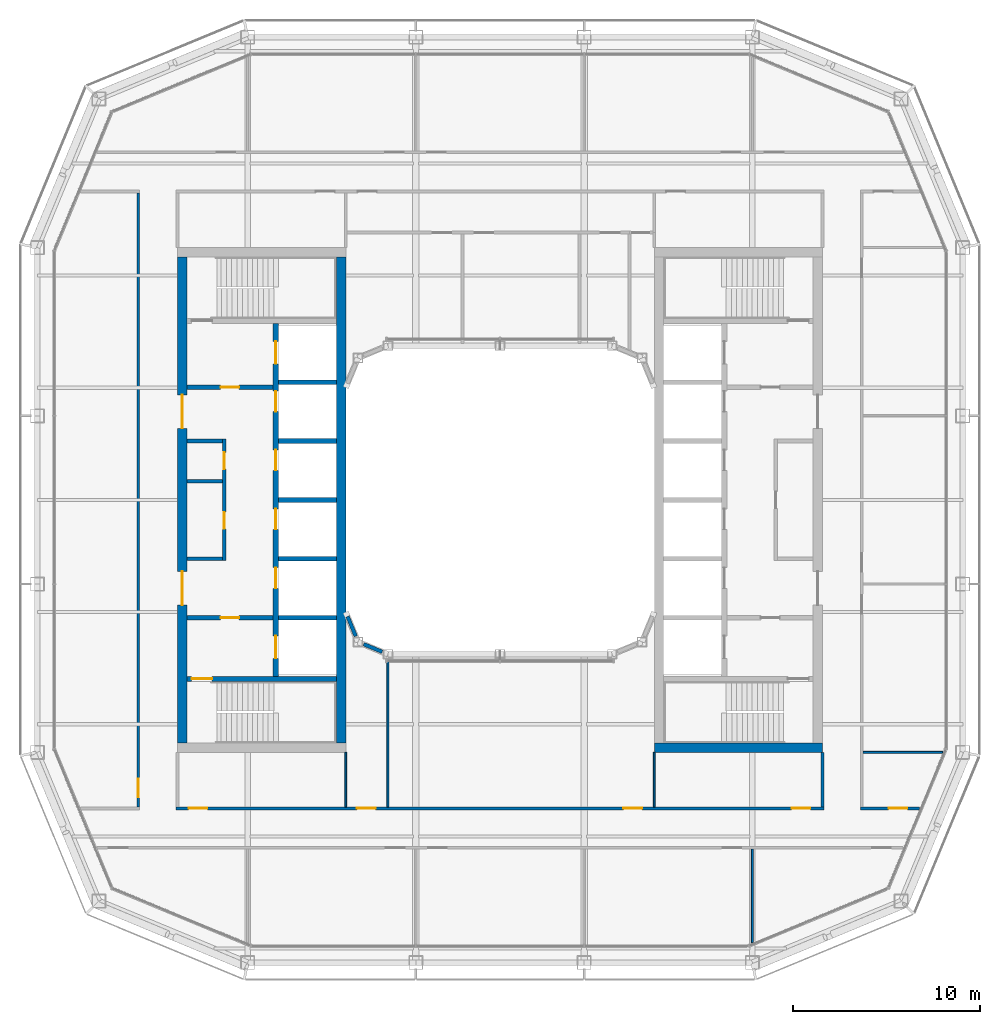
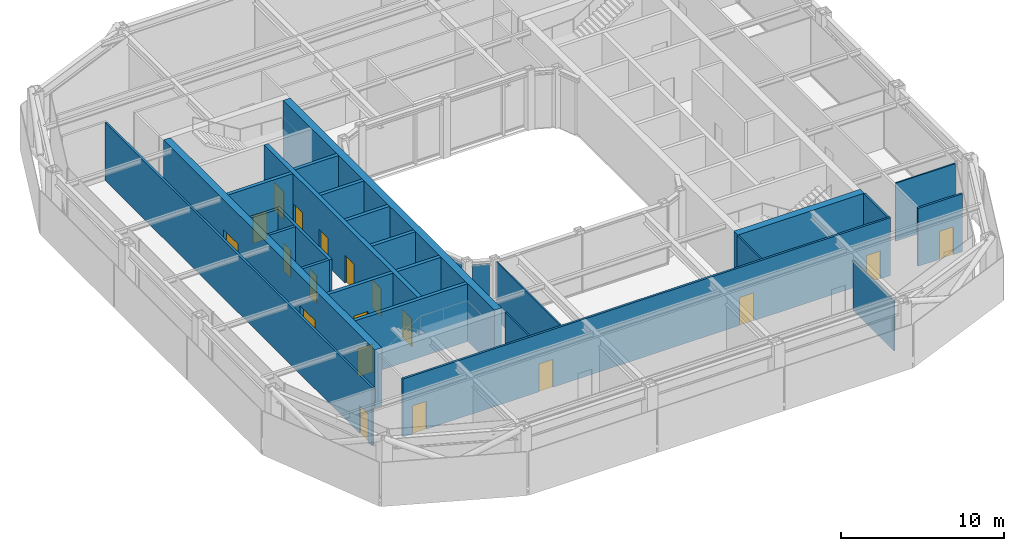
# One storey, part 10 of 17: 27 walls, 19 doors, 19 openings.
"""IFC4 building model written with IfcOpenShell, lengths in metres."""

import ifcopenshell
import ifcopenshell.guid

model = None  # the IFC model being written
_history = None  # IfcOwnerHistory: only IFC2X3 demands one
_inside = {}  # id of a spatial element -> (the spatial element, [elements in it])
_under = {}  # id of a project, library or spatial element -> (it, [spatial elements below it])
_declared = {}  # id of a project -> (the project, [libraries it declares])
_typed = {}  # id of a type object -> (the type object, [elements of that type])
_made_of = {}  # id of a material, layer set ... -> (it, [elements and type objects made of it])


def new_model(schema):
    """Start an empty IFC model of exactly this schema.

    Asked for "IFC4X3", IfcOpenShell would pick the latest addendum, in which some entities
    have other attributes; the version numbers below select the first issue.
    IFC2X3 requires an IfcOwnerHistory on every rooted entity: one is made here for all.
    """
    global model, _history
    if schema == "IFC4X3":
        model = ifcopenshell.file(schema_version=(4, 3, 0, 0))
    else:
        model = ifcopenshell.file(schema=schema)
    _inside.clear()
    _under.clear()
    _declared.clear()
    _typed.clear()
    _made_of.clear()
    _history = None
    if model.schema == "IFC2X3":
        org = make("IfcOrganization", Name="unknown")
        user = make(
            "IfcPersonAndOrganization",
            ThePerson=make("IfcPerson", FamilyName="unknown"),
            TheOrganization=org,
        )
        app = make(
            "IfcApplication",
            ApplicationDeveloper=org,
            Version="unknown",
            ApplicationFullName="unknown",
            ApplicationIdentifier="unknown",
        )
        _history = make(
            "IfcOwnerHistory",
            OwningUser=user,
            OwningApplication=app,
            ChangeAction="ADDED",
            CreationDate=0,
        )
    return model


def make(cls, **values):
    """One entity of the class cls with the attributes given. An attribute that is None is left unset."""
    return model.create_entity(
        cls, **{name: value for name, value in values.items() if value is not None}
    )


def rooted(cls, **values):
    """An entity with a GlobalId (a new one), such as an element, a storey or a relation."""
    return make(cls, GlobalId=ifcopenshell.guid.new(), OwnerHistory=_history, **values)


def si_unit(unit_type, name, prefix=None):
    """IfcSIUnit, for example si_unit("LENGTHUNIT", "METRE", prefix="MILLI")."""
    return make("IfcSIUnit", UnitType=unit_type, Prefix=prefix, Name=name)


def assignment(units):
    """IfcUnitAssignment: the units of a project."""
    return None if units is None else make("IfcUnitAssignment", Units=units)


def point(xyz):
    """IfcCartesianPoint."""
    return None if xyz is None else make("IfcCartesianPoint", Coordinates=xyz)


def direction(xyz):
    """IfcDirection."""
    return None if xyz is None else make("IfcDirection", DirectionRatios=xyz)


def frame(location, z_axis=None, x_axis=None):
    """IfcAxis2Placement3D, a coordinate frame: its origin and axes. An axis left out is left unset."""
    return make(
        "IfcAxis2Placement3D",
        Location=point(location),
        Axis=direction(z_axis),
        RefDirection=direction(x_axis),
    )


def frame_2d(location, x_axis=None):
    """IfcAxis2Placement2D, a coordinate frame in the plane: its origin and x axis."""
    return make(
        "IfcAxis2Placement2D", Location=point(location), RefDirection=direction(x_axis)
    )


def origin():
    """The frame at (0, 0, 0) with its axes left unset."""
    return frame((0.0, 0.0, 0.0))


def place(relative_to, where):
    """IfcLocalPlacement: puts the frame where relative to a parent placement (None: the world)."""
    return make(
        "IfcLocalPlacement", PlacementRelTo=relative_to, RelativePlacement=where
    )


def context(
    kind, dimensions, precision=None, world=None, true_north=None, identifier=None
):
    """IfcGeometricRepresentationContext, for example the 3D "Model" context."""
    return make(
        "IfcGeometricRepresentationContext",
        ContextIdentifier=identifier,
        ContextType=kind,
        CoordinateSpaceDimension=dimensions,
        Precision=precision,
        WorldCoordinateSystem=world,
        TrueNorth=true_north,
    )


def subcontext(parent, identifier, kind, view, scale=None):
    """IfcGeometricRepresentationSubContext, for example "Body" below "Model"."""
    return make(
        "IfcGeometricRepresentationSubContext",
        ContextIdentifier=identifier,
        ContextType=kind,
        ParentContext=parent,
        TargetScale=scale,
        TargetView=view,
    )


def project(units=None, contexts=None):
    """IfcProject with its units and contexts."""
    return rooted(
        "IfcProject",
        Name="project",
        RepresentationContexts=contexts,
        UnitsInContext=assignment(units),
    )


def spatial(cls, under=None, at=None, **own):
    """A site, building, storey or space (cls), placed at a placement, below another one or the project."""
    s = rooted(cls, ObjectPlacement=at, **own)
    if under is not None:
        _under.setdefault(under.id(), (under, []))[1].append(s)
    return s


def profile(cls, at=None, kind="AREA", **sizes):
    """A parametric profile (cls). Its sizes go by their IFC names, for example OverallWidth=200.0."""
    return make(cls, ProfileType=kind, Position=at, **sizes)


def rectangle(**sizes):
    """IfcRectangleProfileDef."""
    return profile("IfcRectangleProfileDef", **sizes)


def extrude(swept, where, along, depth):
    """IfcExtrudedAreaSolid: the profile swept, set in the frame where, extruded along a direction by depth."""
    return make(
        "IfcExtrudedAreaSolid",
        SweptArea=swept,
        Position=where,
        ExtrudedDirection=direction(along),
        Depth=depth,
    )


def shape(context_of_items, identifier, shape_type, items):
    """IfcShapeRepresentation: the items that make up one representation, for example the "Body"."""
    return make(
        "IfcShapeRepresentation",
        ContextOfItems=context_of_items,
        RepresentationIdentifier=identifier,
        RepresentationType=shape_type,
        Items=items,
    )


def material(Name=None, Category=None):
    """IfcMaterial."""
    return make("IfcMaterial", Name=Name, Category=Category)


def layer(
    of_material, thickness, ventilated=None, Name=None, Category=None, Priority=None
):
    """IfcMaterialLayer: one layer of a wall or slab, of a material (None: an air gap)."""
    return make(
        "IfcMaterialLayer",
        Material=of_material,
        LayerThickness=thickness,
        IsVentilated=ventilated,
        Name=Name,
        Category=Category,
        Priority=Priority,
    )


def layer_set(layers, Name=None):
    """IfcMaterialLayerSet."""
    return make("IfcMaterialLayerSet", MaterialLayers=layers, LayerSetName=Name)


def made_of(thing, what):
    """Note that an element or type object is made of a material, layer set ...; save() writes the relation."""
    if what is not None:
        _made_of.setdefault(what.id(), (what, []))[1].append(thing)
    return thing


def type_object(cls, material=None, **own):
    """A type object (cls), such as IfcWallType, which elements share."""
    return made_of(rooted(cls, **own), material)


def element(
    cls,
    number,
    at=None,
    inside=None,
    cuts=None,
    type_object=None,
    material=None,
    context=None,
    identifier="Body",
    shape_type=None,
    held_by="IfcProductDefinitionShape",
    body=None,
    shapes=None,
    **own,
):
    """One element of the class cls, such as IfcWall. Its Tag is "e" and its number.

    at: its placement. inside: the storey or other place that contains it. cuts: it is an
    opening in that element (IfcRelVoidsElement). A single representation is given by context,
    identifier, shape_type and body (its items); several are given by shapes. held_by: the class
    of the entity that holds the representations. save() writes the other relations.
    """
    e = rooted(cls, Tag="e%d" % number, ObjectPlacement=at, **own)
    if body is not None:
        shapes = [shape(context, identifier, shape_type, body)]
    if shapes is not None:
        e.Representation = make(held_by, Representations=shapes)
    if inside is not None:
        _inside.setdefault(inside.id(), (inside, []))[1].append(e)
    if cuts is not None:
        rooted(
            "IfcRelVoidsElement", RelatingBuildingElement=cuts, RelatedOpeningElement=e
        )
    if type_object is not None:
        _typed.setdefault(type_object.id(), (type_object, []))[1].append(e)
    return made_of(e, material)


def fill(opening, filler):
    """IfcRelFillsElement: the door or window that sits in an opening."""
    return rooted(
        "IfcRelFillsElement",
        RelatingOpeningElement=opening,
        RelatedBuildingElement=filler,
    )


def aggregate(whole, parts):
    """IfcRelAggregates: a whole, such as a stair, and the parts it consists of."""
    return rooted("IfcRelAggregates", RelatingObject=whole, RelatedObjects=parts)


def save(model, path):
    """Write the relations noted so far, then the file.

    IfcRelAggregates (storeys below a building ...), IfcRelContainedInSpatialStructure (elements
    in a storey), IfcRelDefinesByType, IfcRelAssociatesMaterial and IfcRelDeclares: one each for
    every whole, place, type object, material and project.
    """
    for whole, parts in _under.values():
        aggregate(whole, parts)
    for where, things in _inside.values():
        rooted(
            "IfcRelContainedInSpatialStructure",
            RelatedElements=things,
            RelatingStructure=where,
        )
    for kind, things in _typed.values():
        rooted("IfcRelDefinesByType", RelatedObjects=things, RelatingType=kind)
    for what, things in _made_of.values():
        rooted("IfcRelAssociatesMaterial", RelatedObjects=things, RelatingMaterial=what)
    for by, libraries in _declared.values():
        rooted("IfcRelDeclares", RelatingContext=by, RelatedDefinitions=libraries)
    model.write(path)


model = new_model("IFC4")

# Units and contexts
model_context = context("Model", 3, precision=1e-05, world=origin(), true_north=direction((0.0, 1.0)))
body_context = subcontext(model_context, "Body", "Model", "MODEL_VIEW")
ifc_project = project(units=[si_unit("LENGTHUNIT", "METRE"), si_unit("AREAUNIT", "SQUARE_METRE"), si_unit("VOLUMEUNIT", "CUBIC_METRE"), si_unit("PLANEANGLEUNIT", "RADIAN"), si_unit("MASSUNIT", "GRAM", prefix="KILO")], contexts=[model_context])

# Site, building, storey
site_placement = place(None, origin())
site = spatial("IfcSite", under=ifc_project, at=site_placement, CompositionType="ELEMENT")
building_placement = place(site_placement, origin())
building = spatial("IfcBuilding", under=site, at=building_placement, Name="Siwar Civic Tower", CompositionType="ELEMENT")
storey_placement = place(building_placement, frame((0.0, 0.0, 289.699951171875)))
storey = spatial("IfcBuildingStorey", under=building, at=storey_placement, Name="L62", CompositionType="ELEMENT", Elevation=289.699951171875)

# Wall, openings, doors
ifc_material_1 = material(Name="Gypsum board on steel studs", Category="steel")
ifc_layer_1 = layer(ifc_material_1, 0.199951171875)
ifc_layer_set_1 = layer_set([ifc_layer_1], Name="Gypsum board on steel studs")
wall_type_1 = type_object("IfcWallType", Name="CORE-PARTITION-200", PredefinedType="PARTITIONING", material=ifc_layer_set_1)
wall_1_placement = place(storey_placement, frame((-14.75, -3.25, 0.0), z_axis=(0.0, 0.0, 1.0), x_axis=(0.0, 1.0, 0.0)))
wall_1 = element("IfcWall", 1, at=wall_1_placement, inside=storey, type_object=wall_type_1, Name="Core partition W", PredefinedType="PARTITIONING", context=body_context, shape_type="SweptSolid", body=[
    extrude(rectangle(XDim=6.5, YDim=0.199951171875, at=frame_2d((3.25, 0.0))), origin(), (0.0, 0.0, 1.0), 4.35009765625),
])
opening_1_placement = place(wall_1_placement, frame((1.699951171875, 0.0, 0.0)))
opening_1 = element("IfcOpeningElement", 2, at=opening_1_placement, cuts=wall_1, Name="Opening L62-CW13", PredefinedType="OPENING", context=body_context, shape_type="SweptSolid", body=[
    extrude(rectangle(XDim=0.89990234375, YDim=2.10009765625, at=frame_2d((0.449951171875, 1.050048828125))), frame((0.0, 0.10986328125, 0.0), z_axis=(0.0, -1.0, 0.0), x_axis=(1.0, 0.0, 0.0)), (0.0, 0.0, 1.0), 0.219970703125),
])
opening_2_placement = place(wall_1_placement, frame((4.89990234375, 0.0, 0.0)))
opening_2 = element("IfcOpeningElement", 3, at=opening_2_placement, cuts=wall_1, Name="Opening L62-CW14", PredefinedType="OPENING", context=body_context, shape_type="SweptSolid", body=[
    extrude(rectangle(XDim=0.89990234375, YDim=2.10009765625, at=frame_2d((0.449951171875, 1.050048828125))), frame((0.0, 0.10986328125, 0.0), z_axis=(0.0, -1.0, 0.0), x_axis=(1.0, 0.0, 0.0)), (0.0, 0.0, 1.0), 0.219970703125),
])
ifc_material_2 = material(Name="Steel door leaf", Category="steel")
door_type_1 = type_object("IfcDoorType", Name="CORE-DOOR-ROOM", OperationType="SINGLE_SWING_LEFT", PredefinedType="DOOR", material=ifc_material_2)
door_1_placement = place(opening_1_placement, origin())
door_1 = element("IfcDoor", 4, at=door_1_placement, inside=storey, type_object=door_type_1, Name="Core room door L62-CW13", OperationType="SINGLE_SWING_RIGHT", OverallHeight=2.10009765625, OverallWidth=0.89990234375, PredefinedType="DOOR", context=body_context, shape_type="SweptSolid", body=[
    extrude(rectangle(XDim=0.89990234375, YDim=2.10009765625, at=frame_2d((0.449951171875, 1.050048828125))), frame((0.0, 0.02490234375, 0.0), z_axis=(0.0, -1.0, 0.0), x_axis=(1.0, 0.0, 0.0)), (0.0, 0.0, 1.0), 0.050048828125),
])
fill(opening_1, door_1)
door_2_placement = place(opening_2_placement, origin())
door_2 = element("IfcDoor", 5, at=door_2_placement, inside=storey, type_object=door_type_1, Name="Core room door L62-CW14", OperationType="SINGLE_SWING_LEFT", OverallHeight=2.10009765625, OverallWidth=0.89990234375, PredefinedType="DOOR", context=body_context, shape_type="SweptSolid", body=[
    extrude(rectangle(XDim=0.89990234375, YDim=2.10009765625, at=frame_2d((0.449951171875, 1.050048828125))), frame((0.0, 0.02490234375, 0.0), z_axis=(0.0, -1.0, 0.0), x_axis=(1.0, 0.0, 0.0)), (0.0, 0.0, 1.0), 0.050048828125),
])
fill(opening_2, door_2)

# Walls
for number, where, z_axis, x_axis, name in (
    (6, (-14.85009765625, 3.14990234375, 0.0), (0.0, 0.0, 1.0), (-1.0, 0.0, 0.0), "Core partition W"),
    (7, (-14.85009765625, -3.14990234375, 0.0), (0.0, 0.0, 1.0), (-1.0, 0.0, 0.0), "Core partition W"),
    (8, (-14.85009765625, 1.0, 0.0), (0.0, 0.0, 1.0), (-1.0, 0.0, 0.0), "Core partition W"),
):
    element("IfcWall", number, at=place(storey_placement, frame(where, z_axis=z_axis, x_axis=x_axis)), inside=storey, type_object=wall_type_1, Name=name, PredefinedType="PARTITIONING", context=body_context, shape_type="SweptSolid", body=[
        extrude(rectangle(XDim=1.89990234375, YDim=0.199951171875, at=frame_2d((0.949951171875, 0.0))), origin(), (0.0, 0.0, 1.0), 4.35009765625),
    ])

# Wall, opening, door
ifc_material_3 = material(Name="Concrete C60/75", Category="concrete")
ifc_layer_2 = layer(ifc_material_3, 0.25)
ifc_layer_set_2 = layer_set([ifc_layer_2], Name="Concrete C60/75")
wall_type_2 = type_object("IfcWallType", Name="CORE-WALL-RC250", PredefinedType="SHEAR", material=ifc_layer_set_2)
wall_2_placement = place(storey_placement, frame((-12.14990234375, 6.02490234375, 0.0), z_axis=(0.0, 0.0, 1.0), x_axis=(-1.0, 0.0, 0.0)))
wall_2 = element("IfcWall", 9, at=wall_2_placement, inside=storey, type_object=wall_type_2, Name="Core wall W", PredefinedType="SHEAR", context=body_context, shape_type="SweptSolid", body=[
    extrude(rectangle(XDim=4.60009765625, YDim=0.25, at=frame_2d((2.300048828125, 0.0))), origin(), (0.0, 0.0, 1.0), 4.35009765625),
])
opening_3_placement = place(wall_2_placement, frame((1.800048828125, 0.0, 0.0)))
opening_3 = element("IfcOpeningElement", 10, at=opening_3_placement, cuts=wall_2, Name="Opening L62-CW01", PredefinedType="OPENING", context=body_context, shape_type="SweptSolid", body=[
    extrude(rectangle(XDim=1.0, YDim=2.10009765625, at=frame_2d((0.5, 1.050048828125))), frame((0.0, 0.135009765625, 0.0), z_axis=(0.0, -1.0, 0.0), x_axis=(1.0, 0.0, 0.0)), (0.0, 0.0, 1.0), 0.27001953125),
])
ifc_material_4 = material(Name="Steel door leaf", Category="steel")
door_type_2 = type_object("IfcDoorType", Name="CORE-DOOR-FD30S", OperationType="SINGLE_SWING_LEFT", PredefinedType="DOOR", material=ifc_material_4)
door_3_placement = place(opening_3_placement, origin())
door_3 = element("IfcDoor", 11, at=door_3_placement, inside=storey, type_object=door_type_2, Name="Firefighting lobby door L62-CW01", OperationType="SINGLE_SWING_LEFT", OverallHeight=2.10009765625, OverallWidth=1.0, PredefinedType="DOOR", context=body_context, shape_type="SweptSolid", body=[
    extrude(rectangle(XDim=1.0, YDim=2.10009765625, at=frame_2d((0.5, 1.050048828125))), frame((0.0, 0.02490234375, 0.0), z_axis=(0.0, -1.0, 0.0), x_axis=(1.0, 0.0, 0.0)), (0.0, 0.0, 1.0), 0.050048828125),
])
fill(opening_3, door_3)

wall_3_placement = place(storey_placement, frame((-12.14990234375, -6.300048828125, 0.0), z_axis=(0.0, 0.0, 1.0), x_axis=(-1.0, 0.0, 0.0)))
wall_3 = element("IfcWall", 12, at=wall_3_placement, inside=storey, type_object=wall_type_2, Name="Core wall W", PredefinedType="SHEAR", context=body_context, shape_type="SweptSolid", body=[
    extrude(rectangle(XDim=4.60009765625, YDim=0.25, at=frame_2d((2.300048828125, 0.0))), origin(), (0.0, 0.0, 1.0), 4.35009765625),
])
opening_4_placement = place(wall_3_placement, frame((1.800048828125, 0.0, 0.0)))
opening_4 = element("IfcOpeningElement", 13, at=opening_4_placement, cuts=wall_3, Name="Opening L62-CW02", PredefinedType="OPENING", context=body_context, shape_type="SweptSolid", body=[
    extrude(rectangle(XDim=1.0, YDim=2.10009765625, at=frame_2d((0.5, 1.050048828125))), frame((0.0, 0.135009765625, 0.0), z_axis=(0.0, -1.0, 0.0), x_axis=(1.0, 0.0, 0.0)), (0.0, 0.0, 1.0), 0.27001953125),
])
door_4_placement = place(opening_4_placement, origin())
door_4 = element("IfcDoor", 14, at=door_4_placement, inside=storey, type_object=door_type_2, Name="Service lobby door L62-CW02", OperationType="SINGLE_SWING_RIGHT", OverallHeight=2.10009765625, OverallWidth=1.0, PredefinedType="DOOR", context=body_context, shape_type="SweptSolid", body=[
    extrude(rectangle(XDim=1.0, YDim=2.10009765625, at=frame_2d((0.5, 1.050048828125))), frame((0.0, 0.02490234375, 0.0), z_axis=(0.0, -1.0, 0.0), x_axis=(1.0, 0.0, 0.0)), (0.0, 0.0, 1.0), 0.050048828125),
])
fill(opening_4, door_4)

# Walls
for number, where, z_axis, x_axis, name in (
    (15, (-8.75, 0.0, 0.0), (0.0, 0.0, 1.0), (-1.0, 0.0, 0.0), "Core wall W"),
    (16, (-8.75, 3.14990234375, 0.0), (0.0, 0.0, 1.0), (-1.0, 0.0, 0.0), "Core wall W"),
    (17, (-8.75, 6.300048828125, 0.0), (0.0, 0.0, 1.0), (-1.0, 0.0, 0.0), "Core wall W"),
    (18, (-8.75, -3.14990234375, 0.0), (0.0, 0.0, 1.0), (-1.0, 0.0, 0.0), "Core wall W"),
    (19, (-8.75, -6.300048828125, 0.0), (0.0, 0.0, 1.0), (-1.0, 0.0, 0.0), "Core wall W"),
):
    element("IfcWall", number, at=place(storey_placement, frame(where, z_axis=z_axis, x_axis=x_axis)), inside=storey, type_object=wall_type_2, Name=name, PredefinedType="SHEAR", context=body_context, shape_type="SweptSolid", body=[
        extrude(rectangle(XDim=3.10009765625, YDim=0.25, at=frame_2d((1.550048828125, 0.0))), origin(), (0.0, 0.0, 1.0), 4.35009765625),
    ])

# Wall, opening, door
wall_4_placement = place(storey_placement, frame((-8.75, -9.574951171875, 0.0), z_axis=(0.0, 0.0, 1.0), x_axis=(-1.0, 0.0, 0.0)))
wall_4 = element("IfcWall", 20, at=wall_4_placement, inside=storey, type_object=wall_type_2, Name="Core wall W", PredefinedType="SHEAR", context=body_context, shape_type="SweptSolid", body=[
    extrude(rectangle(XDim=8.0, YDim=0.25, at=frame_2d((4.0, 0.0))), origin(), (0.0, 0.0, 1.0), 4.35009765625),
])
opening_5_placement = place(wall_4_placement, frame((6.64990234375, 0.0, 0.0)))
opening_5 = element("IfcOpeningElement", 21, at=opening_5_placement, cuts=wall_4, Name="Opening L62-CW04", PredefinedType="OPENING", context=body_context, shape_type="SweptSolid", body=[
    extrude(rectangle(XDim=1.10009765625, YDim=2.10009765625, at=frame_2d((0.550048828125, 1.050048828125))), frame((0.0, 0.135009765625, 0.0), z_axis=(0.0, -1.0, 0.0), x_axis=(1.0, 0.0, 0.0)), (0.0, 0.0, 1.0), 0.27001953125),
])
ifc_material_5 = material(Name="Steel door leaf", Category="steel")
door_type_3 = type_object("IfcDoorType", Name="CORE-DOOR-FD60S", OperationType="SINGLE_SWING_LEFT", PredefinedType="DOOR", material=ifc_material_5)
door_5_placement = place(opening_5_placement, origin())
door_5 = element("IfcDoor", 22, at=door_5_placement, inside=storey, type_object=door_type_3, Name="Stair door L62-CW04", OperationType="SINGLE_SWING_LEFT", OverallHeight=2.10009765625, OverallWidth=1.10009765625, PredefinedType="DOOR", context=body_context, shape_type="SweptSolid", body=[
    extrude(rectangle(XDim=1.10009765625, YDim=2.10009765625, at=frame_2d((0.550048828125, 1.050048828125))), frame((0.0, 0.02490234375, 0.0), z_axis=(0.0, -1.0, 0.0), x_axis=(1.0, 0.0, 0.0)), (0.0, 0.0, 1.0), 0.050048828125),
])
fill(opening_5, door_5)

# Wall, openings, doors
ifc_material_6 = material(Name="Concrete C60/75", Category="concrete")
ifc_layer_3 = layer(ifc_material_6, 0.300048828125)
ifc_layer_set_3 = layer_set([ifc_layer_3], Name="Concrete C60/75")
wall_type_3 = type_object("IfcWallType", Name="CORE-WALL-RC300", PredefinedType="SHEAR", material=ifc_layer_set_3)
wall_5_placement = place(storey_placement, frame((-12.0, -9.449951171875, 0.0), z_axis=(0.0, 0.0, 1.0), x_axis=(0.0, 1.0, 0.0)))
wall_5 = element("IfcWall", 23, at=wall_5_placement, inside=storey, type_object=wall_type_3, Name="Core wall W", PredefinedType="SHEAR", context=body_context, shape_type="SweptSolid", body=[
    extrude(rectangle(XDim=18.89990234375, YDim=0.300048828125, at=frame_2d((9.449951171875, 0.0))), origin(), (0.0, 0.0, 1.0), 4.35009765625),
])
opening_6_placement = place(wall_5_placement, frame((4.72509765625, 0.0, 0.0)))
opening_6 = element("IfcOpeningElement", 24, at=opening_6_placement, cuts=wall_5, Name="Opening L62-CW07", PredefinedType="OPENING", context=body_context, shape_type="SweptSolid", body=[
    extrude(rectangle(XDim=1.10009765625, YDim=2.10009765625, at=frame_2d((0.550048828125, 1.050048828125))), frame((0.0, 0.16015625, 0.0), z_axis=(0.0, -1.0, 0.0), x_axis=(1.0, 0.0, 0.0)), (0.0, 0.0, 1.0), 0.320068359375),
])
opening_7_placement = place(wall_5_placement, frame((7.875, 0.0, 0.0)))
opening_7 = element("IfcOpeningElement", 25, at=opening_7_placement, cuts=wall_5, Name="Opening L62-CW08", PredefinedType="OPENING", context=body_context, shape_type="SweptSolid", body=[
    extrude(rectangle(XDim=1.10009765625, YDim=2.10009765625, at=frame_2d((0.550048828125, 1.050048828125))), frame((0.0, 0.16015625, 0.0), z_axis=(0.0, -1.0, 0.0), x_axis=(1.0, 0.0, 0.0)), (0.0, 0.0, 1.0), 0.320068359375),
])
opening_8_placement = place(wall_5_placement, frame((11.02490234375, 0.0, 0.0)))
opening_8 = element("IfcOpeningElement", 26, at=opening_8_placement, cuts=wall_5, Name="Opening L62-CW09", PredefinedType="OPENING", context=body_context, shape_type="SweptSolid", body=[
    extrude(rectangle(XDim=1.10009765625, YDim=2.10009765625, at=frame_2d((0.550048828125, 1.050048828125))), frame((0.0, 0.16015625, 0.0), z_axis=(0.0, -1.0, 0.0), x_axis=(1.0, 0.0, 0.0)), (0.0, 0.0, 1.0), 0.320068359375),
])
opening_9_placement = place(wall_5_placement, frame((14.175048828125, 0.0, 0.0)))
opening_9 = element("IfcOpeningElement", 27, at=opening_9_placement, cuts=wall_5, Name="Opening L62-CW10", PredefinedType="OPENING", context=body_context, shape_type="SweptSolid", body=[
    extrude(rectangle(XDim=1.10009765625, YDim=2.10009765625, at=frame_2d((0.550048828125, 1.050048828125))), frame((0.0, 0.16015625, 0.0), z_axis=(0.0, -1.0, 0.0), x_axis=(1.0, 0.0, 0.0)), (0.0, 0.0, 1.0), 0.320068359375),
])
opening_10_placement = place(wall_5_placement, frame((16.72509765625, 0.0, 0.0)))
opening_10 = element("IfcOpeningElement", 28, at=opening_10_placement, cuts=wall_5, Name="Opening L62-CW11", PredefinedType="OPENING", context=body_context, shape_type="SweptSolid", body=[
    extrude(rectangle(XDim=1.199951171875, YDim=2.10009765625, at=frame_2d((0.60009765625, 1.050048828125))), frame((0.0, 0.16015625, 0.0), z_axis=(0.0, -1.0, 0.0), x_axis=(1.0, 0.0, 0.0)), (0.0, 0.0, 1.0), 0.320068359375),
])
opening_11_placement = place(wall_5_placement, frame((0.97509765625, 0.0, 0.0)))
opening_11 = element("IfcOpeningElement", 29, at=opening_11_placement, cuts=wall_5, Name="Opening L62-CW12", PredefinedType="OPENING", context=body_context, shape_type="SweptSolid", body=[
    extrude(rectangle(XDim=1.199951171875, YDim=2.10009765625, at=frame_2d((0.60009765625, 1.050048828125))), frame((0.0, 0.16015625, 0.0), z_axis=(0.0, -1.0, 0.0), x_axis=(1.0, 0.0, 0.0)), (0.0, 0.0, 1.0), 0.320068359375),
])
ifc_material_7 = material(Name="Steel door leaf", Category="steel")
door_type_4 = type_object("IfcDoorType", Name="CORE-DOOR-LD", OperationType="DOUBLE_DOOR_SLIDING", PredefinedType="DOOR", material=ifc_material_7)
door_6_placement = place(opening_6_placement, origin())
door_6 = element("IfcDoor", 30, at=door_6_placement, inside=storey, type_object=door_type_4, Name="Landing door HR1 L62-CW07", OperationType="DOUBLE_DOOR_SLIDING", OverallHeight=2.10009765625, OverallWidth=1.10009765625, PredefinedType="DOOR", context=body_context, shape_type="SweptSolid", body=[
    extrude(rectangle(XDim=1.10009765625, YDim=2.10009765625, at=frame_2d((0.550048828125, 1.050048828125))), frame((0.0, 0.02490234375, 0.0), z_axis=(0.0, -1.0, 0.0), x_axis=(1.0, 0.0, 0.0)), (0.0, 0.0, 1.0), 0.050048828125),
])
fill(opening_6, door_6)
door_7_placement = place(opening_7_placement, origin())
door_7 = element("IfcDoor", 31, at=door_7_placement, inside=storey, type_object=door_type_4, Name="Landing door HR2 L62-CW08", OperationType="DOUBLE_DOOR_SLIDING", OverallHeight=2.10009765625, OverallWidth=1.10009765625, PredefinedType="DOOR", context=body_context, shape_type="SweptSolid", body=[
    extrude(rectangle(XDim=1.10009765625, YDim=2.10009765625, at=frame_2d((0.550048828125, 1.050048828125))), frame((0.0, 0.02490234375, 0.0), z_axis=(0.0, -1.0, 0.0), x_axis=(1.0, 0.0, 0.0)), (0.0, 0.0, 1.0), 0.050048828125),
])
fill(opening_7, door_7)
door_8_placement = place(opening_8_placement, origin())
door_8 = element("IfcDoor", 32, at=door_8_placement, inside=storey, type_object=door_type_4, Name="Landing door HR3 L62-CW09", OperationType="DOUBLE_DOOR_SLIDING", OverallHeight=2.10009765625, OverallWidth=1.10009765625, PredefinedType="DOOR", context=body_context, shape_type="SweptSolid", body=[
    extrude(rectangle(XDim=1.10009765625, YDim=2.10009765625, at=frame_2d((0.550048828125, 1.050048828125))), frame((0.0, 0.02490234375, 0.0), z_axis=(0.0, -1.0, 0.0), x_axis=(1.0, 0.0, 0.0)), (0.0, 0.0, 1.0), 0.050048828125),
])
fill(opening_8, door_8)
door_9_placement = place(opening_9_placement, origin())
door_9 = element("IfcDoor", 33, at=door_9_placement, inside=storey, type_object=door_type_4, Name="Landing door HR4 L62-CW10", OperationType="DOUBLE_DOOR_SLIDING", OverallHeight=2.10009765625, OverallWidth=1.10009765625, PredefinedType="DOOR", context=body_context, shape_type="SweptSolid", body=[
    extrude(rectangle(XDim=1.10009765625, YDim=2.10009765625, at=frame_2d((0.550048828125, 1.050048828125))), frame((0.0, 0.02490234375, 0.0), z_axis=(0.0, -1.0, 0.0), x_axis=(1.0, 0.0, 0.0)), (0.0, 0.0, 1.0), 0.050048828125),
])
fill(opening_9, door_9)
ifc_material_8 = material(Name="Steel door leaf", Category="steel")
door_type_5 = type_object("IfcDoorType", Name="CORE-DOOR-LDW", OperationType="DOUBLE_DOOR_SLIDING", PredefinedType="DOOR", material=ifc_material_8)
door_10_placement = place(opening_10_placement, origin())
door_10 = element("IfcDoor", 34, at=door_10_placement, inside=storey, type_object=door_type_5, Name="Landing door FF1 L62-CW11", OperationType="DOUBLE_DOOR_SLIDING", OverallHeight=2.10009765625, OverallWidth=1.199951171875, PredefinedType="DOOR", context=body_context, shape_type="SweptSolid", body=[
    extrude(rectangle(XDim=1.199951171875, YDim=2.10009765625, at=frame_2d((0.60009765625, 1.050048828125))), frame((0.0, 0.02490234375, 0.0), z_axis=(0.0, -1.0, 0.0), x_axis=(1.0, 0.0, 0.0)), (0.0, 0.0, 1.0), 0.050048828125),
])
fill(opening_10, door_10)
door_11_placement = place(opening_11_placement, origin())
door_11 = element("IfcDoor", 35, at=door_11_placement, inside=storey, type_object=door_type_5, Name="Landing door SV1 L62-CW12", OperationType="DOUBLE_DOOR_SLIDING", OverallHeight=2.10009765625, OverallWidth=1.199951171875, PredefinedType="DOOR", context=body_context, shape_type="SweptSolid", body=[
    extrude(rectangle(XDim=1.199951171875, YDim=2.10009765625, at=frame_2d((0.60009765625, 1.050048828125))), frame((0.0, 0.02490234375, 0.0), z_axis=(0.0, -1.0, 0.0), x_axis=(1.0, 0.0, 0.0)), (0.0, 0.0, 1.0), 0.050048828125),
])
fill(opening_11, door_11)

ifc_material_9 = material(Name="Concrete C60/75", Category="concrete")
ifc_layer_4 = layer(ifc_material_9, 0.5)
ifc_layer_set_4 = layer_set([ifc_layer_4], Name="Concrete C60/75")
wall_type_4 = type_object("IfcWallType", Name="CORE-WALL-RC500", PredefinedType="SHEAR", material=ifc_layer_set_4)
wall_6_placement = place(storey_placement, frame((-17.0, -13.0, 0.0), z_axis=(0.0, 0.0, 1.0), x_axis=(0.0, 1.0, 0.0)))
wall_6 = element("IfcWall", 36, at=wall_6_placement, inside=storey, type_object=wall_type_4, Name="Core wall W", PredefinedType="SHEAR", context=body_context, shape_type="SweptSolid", body=[
    extrude(rectangle(XDim=26.0, YDim=0.5, at=frame_2d((13.0, 0.0))), origin(), (0.0, 0.0, 1.0), 4.35009765625),
])
opening_12_placement = place(wall_6_placement, frame((16.824951171875, 0.0, 0.0)))
opening_12 = element("IfcOpeningElement", 37, at=opening_12_placement, cuts=wall_6, Name="Opening L62-CW05", PredefinedType="OPENING", context=body_context, shape_type="SweptSolid", body=[
    extrude(rectangle(XDim=1.800048828125, YDim=2.10009765625, at=frame_2d((0.89990234375, 1.050048828125))), frame((0.0, 0.260009765625, 0.0), z_axis=(0.0, -1.0, 0.0), x_axis=(1.0, 0.0, 0.0)), (0.0, 0.0, 1.0), 0.52001953125),
])
opening_13_placement = place(wall_6_placement, frame((7.375, 0.0, 0.0)))
opening_13 = element("IfcOpeningElement", 38, at=opening_13_placement, cuts=wall_6, Name="Opening L62-CW06", PredefinedType="OPENING", context=body_context, shape_type="SweptSolid", body=[
    extrude(rectangle(XDim=1.800048828125, YDim=2.10009765625, at=frame_2d((0.89990234375, 1.050048828125))), frame((0.0, 0.260009765625, 0.0), z_axis=(0.0, -1.0, 0.0), x_axis=(1.0, 0.0, 0.0)), (0.0, 0.0, 1.0), 0.52001953125),
])
ifc_material_10 = material(Name="Steel door leaf", Category="steel")
door_type_6 = type_object("IfcDoorType", Name="CORE-DOOR-PORT", OperationType="DOUBLE_DOOR_DOUBLE_SWING", PredefinedType="DOOR", material=ifc_material_10)
door_12_placement = place(opening_12_placement, origin())
door_12 = element("IfcDoor", 39, at=door_12_placement, inside=storey, type_object=door_type_6, Name="Core entrance door L62-CW05", OperationType="DOUBLE_DOOR_DOUBLE_SWING", OverallHeight=2.10009765625, OverallWidth=1.800048828125, PredefinedType="DOOR", context=body_context, shape_type="SweptSolid", body=[
    extrude(rectangle(XDim=1.800048828125, YDim=2.10009765625, at=frame_2d((0.89990234375, 1.050048828125))), frame((0.0, 0.02490234375, 0.0), z_axis=(0.0, -1.0, 0.0), x_axis=(1.0, 0.0, 0.0)), (0.0, 0.0, 1.0), 0.050048828125),
])
fill(opening_12, door_12)
door_13_placement = place(opening_13_placement, origin())
door_13 = element("IfcDoor", 40, at=door_13_placement, inside=storey, type_object=door_type_6, Name="Core entrance door L62-CW06", OperationType="DOUBLE_DOOR_DOUBLE_SWING", OverallHeight=2.10009765625, OverallWidth=1.800048828125, PredefinedType="DOOR", context=body_context, shape_type="SweptSolid", body=[
    extrude(rectangle(XDim=1.800048828125, YDim=2.10009765625, at=frame_2d((0.89990234375, 1.050048828125))), frame((0.0, 0.02490234375, 0.0), z_axis=(0.0, -1.0, 0.0), x_axis=(1.0, 0.0, 0.0)), (0.0, 0.0, 1.0), 0.050048828125),
])
fill(opening_13, door_13)

# Walls
wall_7_placement = place(storey_placement, frame((8.25, -13.25, 0.0), z_axis=(0.0, 0.0, 1.0), x_axis=(1.0, 0.0, 0.0)))
element("IfcWall", 41, at=wall_7_placement, inside=storey, type_object=wall_type_4, Name="Core wall E", PredefinedType="SHEAR", context=body_context, shape_type="SweptSolid", body=[
    extrude(rectangle(XDim=9.0, YDim=0.5, at=frame_2d((4.5, 0.0))), origin(), (0.0, 0.0, 1.0), 4.35009765625),
])
ifc_material_11 = material(Name="Concrete C60/75", Category="concrete")
ifc_layer_5 = layer(ifc_material_11, 0.5)
ifc_layer_set_5 = layer_set([ifc_layer_5], Name="Concrete C60/75")
wall_type_5 = type_object("IfcWallType", Name="CORE-WALL-RC500-EXT", PredefinedType="SHEAR", material=ifc_layer_set_5)
wall_8_placement = place(storey_placement, frame((-8.5, -13.0, 0.0), z_axis=(0.0, 0.0, 1.0), x_axis=(0.0, 1.0, 0.0)))
element("IfcWall", 42, at=wall_8_placement, inside=storey, type_object=wall_type_5, Name="Core wall W", PredefinedType="SHEAR", context=body_context, shape_type="SweptSolid", body=[
    extrude(rectangle(XDim=26.0, YDim=0.5, at=frame_2d((13.0, 0.0))), origin(), (0.0, 0.0, 1.0), 4.35009765625),
])

# Wall, openings, doors
ifc_material_12 = material(Name="Gypsum board on steel studs", Category="steel")
ifc_layer_6 = layer(ifc_material_12, 0.14990234375)
ifc_layer_set_6 = layer_set([ifc_layer_6], Name="Gypsum board on steel studs")
wall_type_6 = type_object("IfcWallType", Name="CORRIDOR PARTITION 150 EI 30", PredefinedType="PARTITIONING", material=ifc_layer_set_6)
wall_9_placement = place(storey_placement, frame((-17.324951171875, -16.5, 0.0), z_axis=(0.0, 0.0, 1.0), x_axis=(1.0, 0.0, 0.0)))
wall_9 = element("IfcWall", 43, at=wall_9_placement, inside=storey, type_object=wall_type_6, Name="L62/wall/P03", PredefinedType="PARTITIONING", context=body_context, shape_type="SweptSolid", body=[
    extrude(rectangle(XDim=34.64990234375, YDim=0.14990234375, at=frame_2d((17.324951171875, 0.0))), origin(), (0.0, 0.0, 1.0), 4.35009765625),
])
opening_14_placement = place(wall_9_placement, frame((9.675048828125, 0.0, 0.0)))
opening_14 = element("IfcOpeningElement", 44, at=opening_14_placement, cuts=wall_9, Name="Opening D3", PredefinedType="OPENING", context=body_context, shape_type="SweptSolid", body=[
    extrude(rectangle(XDim=1.0, YDim=2.10009765625, at=frame_2d((0.5, 1.050048828125))), frame((0.0, 0.0849609375, 0.0), z_axis=(0.0, -1.0, 0.0), x_axis=(1.0, 0.0, 0.0)), (0.0, 0.0, 1.0), 0.169921875),
])
opening_15_placement = place(wall_9_placement, frame((23.925048828125, 0.0, 0.0)))
opening_15 = element("IfcOpeningElement", 45, at=opening_15_placement, cuts=wall_9, Name="Opening D1", PredefinedType="OPENING", context=body_context, shape_type="SweptSolid", body=[
    extrude(rectangle(XDim=1.0, YDim=2.10009765625, at=frame_2d((0.5, 1.050048828125))), frame((0.0, 0.0849609375, 0.0), z_axis=(0.0, -1.0, 0.0), x_axis=(1.0, 0.0, 0.0)), (0.0, 0.0, 1.0), 0.169921875),
])
opening_16_placement = place(wall_9_placement, frame((0.675048828125, 0.0, 0.0)))
opening_16 = element("IfcOpeningElement", 46, at=opening_16_placement, cuts=wall_9, Name="Opening D1", PredefinedType="OPENING", context=body_context, shape_type="SweptSolid", body=[
    extrude(rectangle(XDim=1.0, YDim=2.10009765625, at=frame_2d((0.5, 1.050048828125))), frame((0.0, 0.0849609375, 0.0), z_axis=(0.0, -1.0, 0.0), x_axis=(1.0, 0.0, 0.0)), (0.0, 0.0, 1.0), 0.169921875),
])
opening_17_placement = place(wall_9_placement, frame((32.925048828125, 0.0, 0.0)))
opening_17 = element("IfcOpeningElement", 47, at=opening_17_placement, cuts=wall_9, Name="Opening D1", PredefinedType="OPENING", context=body_context, shape_type="SweptSolid", body=[
    extrude(rectangle(XDim=1.0, YDim=2.10009765625, at=frame_2d((0.5, 1.050048828125))), frame((0.0, 0.0849609375, 0.0), z_axis=(0.0, -1.0, 0.0), x_axis=(1.0, 0.0, 0.0)), (0.0, 0.0, 1.0), 0.169921875),
])
ifc_material_13 = material(Name="Timber, painted", Category="wood")
door_type_7 = type_object("IfcDoorType", Name="DOOR 1000 X 2100 FD30", OperationType="SINGLE_SWING_LEFT", PredefinedType="DOOR", material=ifc_material_13)
door_14_placement = place(opening_15_placement, origin())
door_14 = element("IfcDoor", 48, at=door_14_placement, inside=storey, type_object=door_type_7, Name="L62-D17", OperationType="SINGLE_SWING_LEFT", OverallHeight=2.10009765625, OverallWidth=1.0, PredefinedType="DOOR", context=body_context, shape_type="SweptSolid", body=[
    extrude(rectangle(XDim=1.0, YDim=2.10009765625, at=frame_2d((0.5, 1.050048828125))), frame((0.0, 0.02490234375, 0.0), z_axis=(0.0, -1.0, 0.0), x_axis=(1.0, 0.0, 0.0)), (0.0, 0.0, 1.0), 0.050048828125),
])
fill(opening_15, door_14)
door_15_placement = place(opening_16_placement, origin())
door_15 = element("IfcDoor", 49, at=door_15_placement, inside=storey, type_object=door_type_7, Name="L62-D20", OperationType="SINGLE_SWING_RIGHT", OverallHeight=2.10009765625, OverallWidth=1.0, PredefinedType="DOOR", context=body_context, shape_type="SweptSolid", body=[
    extrude(rectangle(XDim=1.0, YDim=2.10009765625, at=frame_2d((0.5, 1.050048828125))), frame((0.0, 0.02490234375, 0.0), z_axis=(0.0, -1.0, 0.0), x_axis=(1.0, 0.0, 0.0)), (0.0, 0.0, 1.0), 0.050048828125),
])
fill(opening_16, door_15)
door_16_placement = place(opening_17_placement, origin())
door_16 = element("IfcDoor", 50, at=door_16_placement, inside=storey, type_object=door_type_7, Name="L62-D21", OperationType="SINGLE_SWING_LEFT", OverallHeight=2.10009765625, OverallWidth=1.0, PredefinedType="DOOR", context=body_context, shape_type="SweptSolid", body=[
    extrude(rectangle(XDim=1.0, YDim=2.10009765625, at=frame_2d((0.5, 1.050048828125))), frame((0.0, 0.02490234375, 0.0), z_axis=(0.0, -1.0, 0.0), x_axis=(1.0, 0.0, 0.0)), (0.0, 0.0, 1.0), 0.050048828125),
])
fill(opening_17, door_16)
ifc_material_14 = material(Name="Timber, painted", Category="wood")
door_type_8 = type_object("IfcDoorType", Name="DOOR 1000 X 2100 WC", OperationType="SINGLE_SWING_LEFT", PredefinedType="DOOR", material=ifc_material_14)
door_17_placement = place(opening_14_placement, origin())
door_17 = element("IfcDoor", 51, at=door_17_placement, inside=storey, type_object=door_type_8, Name="L62-D16", OperationType="SINGLE_SWING_RIGHT", OverallHeight=2.10009765625, OverallWidth=1.0, PredefinedType="DOOR", context=body_context, shape_type="SweptSolid", body=[
    extrude(rectangle(XDim=1.0, YDim=2.10009765625, at=frame_2d((0.5, 1.050048828125))), frame((0.0, 0.02490234375, 0.0), z_axis=(0.0, -1.0, 0.0), x_axis=(1.0, 0.0, 0.0)), (0.0, 0.0, 1.0), 0.050048828125),
])
fill(opening_14, door_17)

# Wall, opening, door
wall_10_placement = place(storey_placement, frame((19.27490234375, -16.5, 0.0), z_axis=(0.0, 0.0, 1.0), x_axis=(1.0, 0.0, 0.0)))
wall_10 = element("IfcWall", 52, at=wall_10_placement, inside=storey, type_object=wall_type_6, Name="L62/wall/P04", PredefinedType="PARTITIONING", context=body_context, shape_type="SweptSolid", body=[
    extrude(rectangle(XDim=3.1611328125, YDim=0.14990234375, at=frame_2d((1.58056640625, 0.0))), origin(), (0.0, 0.0, 1.0), 4.35009765625),
])
opening_18_placement = place(wall_10_placement, frame((1.510986328125, 0.0, 0.0)))
opening_18 = element("IfcOpeningElement", 53, at=opening_18_placement, cuts=wall_10, Name="Opening D1", PredefinedType="OPENING", context=body_context, shape_type="SweptSolid", body=[
    extrude(rectangle(XDim=1.0, YDim=2.10009765625, at=frame_2d((0.5, 1.050048828125))), frame((0.0, 0.0849609375, 0.0), z_axis=(0.0, -1.0, 0.0), x_axis=(1.0, 0.0, 0.0)), (0.0, 0.0, 1.0), 0.169921875),
])
door_18_placement = place(opening_18_placement, origin())
door_18 = element("IfcDoor", 54, at=door_18_placement, inside=storey, type_object=door_type_7, Name="L62-D23", OperationType="SINGLE_SWING_LEFT", OverallHeight=2.10009765625, OverallWidth=1.0, PredefinedType="DOOR", context=body_context, shape_type="SweptSolid", body=[
    extrude(rectangle(XDim=1.0, YDim=2.10009765625, at=frame_2d((0.5, 1.050048828125))), frame((0.0, 0.02490234375, 0.0), z_axis=(0.0, -1.0, 0.0), x_axis=(1.0, 0.0, 0.0)), (0.0, 0.0, 1.0), 0.050048828125),
])
fill(opening_18, door_18)

wall_11_placement = place(storey_placement, frame((-19.35009765625, -16.425048828125, 0.0), z_axis=(0.0, 0.0, 1.0), x_axis=(0.0, 1.0, 0.0)))
wall_11 = element("IfcWall", 55, at=wall_11_placement, inside=storey, type_object=wall_type_6, Name="L62/wall/P15", PredefinedType="PARTITIONING", context=body_context, shape_type="SweptSolid", body=[
    extrude(rectangle(XDim=32.85009765625, YDim=0.14990234375, at=frame_2d((16.425048828125, 0.0))), origin(), (0.0, 0.0, 1.0), 4.35009765625),
])
opening_19_placement = place(wall_11_placement, frame((0.52490234375, 0.0, 0.0)))
opening_19 = element("IfcOpeningElement", 56, at=opening_19_placement, cuts=wall_11, Name="Opening D1", PredefinedType="OPENING", context=body_context, shape_type="SweptSolid", body=[
    extrude(rectangle(XDim=1.0, YDim=2.10009765625, at=frame_2d((0.5, 1.050048828125))), frame((0.0, 0.0849609375, 0.0), z_axis=(0.0, -1.0, 0.0), x_axis=(1.0, 0.0, 0.0)), (0.0, 0.0, 1.0), 0.169921875),
])
door_19_placement = place(opening_19_placement, origin())
door_19 = element("IfcDoor", 57, at=door_19_placement, inside=storey, type_object=door_type_7, Name="L62-D22", OperationType="SINGLE_SWING_RIGHT", OverallHeight=2.10009765625, OverallWidth=1.0, PredefinedType="DOOR", context=body_context, shape_type="SweptSolid", body=[
    extrude(rectangle(XDim=1.0, YDim=2.10009765625, at=frame_2d((0.5, 1.050048828125))), frame((0.0, 0.02490234375, 0.0), z_axis=(0.0, -1.0, 0.0), x_axis=(1.0, 0.0, 0.0)), (0.0, 0.0, 1.0), 0.050048828125),
])
fill(opening_19, door_19)

# Walls
wall_12_placement = place(storey_placement, frame((17.25, -16.425048828125, 0.0), z_axis=(0.0, 0.0, 1.0), x_axis=(0.0, 1.0, 0.0)))
element("IfcWall", 58, at=wall_12_placement, inside=storey, type_object=wall_type_6, Name="L62/wall/P35", PredefinedType="PARTITIONING", context=body_context, shape_type="SweptSolid", body=[
    extrude(rectangle(XDim=2.925048828125, YDim=0.14990234375, at=frame_2d((1.46240234375, 0.0))), origin(), (0.0, 0.0, 1.0), 4.35009765625),
])
ifc_material_15 = material(Name="Aluminium clad insulated panel", Category="aluminium")
ifc_layer_7 = layer(ifc_material_15, 0.199951171875)
ifc_layer_set_7 = layer_set([ifc_layer_7], Name="Aluminium clad insulated panel")
wall_type_7 = type_object("IfcWallType", Name="ENV-WALL-WELL", PredefinedType="STANDARD", material=ifc_layer_set_7)
wall_13_placement = place(storey_placement, frame((-8.154296875, -6.23095703125, 0.0), z_axis=(0.0, 0.0, 1.0), x_axis=(0.382571404949, -0.923925927829, 0.0)))
element("IfcWall", 59, at=wall_13_placement, inside=storey, type_object=wall_type_7, Name="Light well corner wall SW1", PredefinedType="STANDARD", context=body_context, shape_type="SweptSolid", body=[
    extrude(rectangle(XDim=1.1455078125, YDim=0.199951171875, at=frame_2d((0.57275390625, 0.0))), origin(), (0.0, 0.0, 1.0), 4.010009765625),
])
wall_14_placement = place(storey_placement, frame((-7.289306640625, -7.716064453125, 0.0), z_axis=(0.0, 0.0, 1.0), x_axis=(0.923919409248, -0.382587147216, 0.0)))
element("IfcWall", 60, at=wall_14_placement, inside=storey, type_object=wall_type_7, Name="Light well corner wall SW2", PredefinedType="STANDARD", context=body_context, shape_type="SweptSolid", body=[
    extrude(rectangle(XDim=1.06884765625, YDim=0.199951171875, at=frame_2d((0.534423828125, 0.0))), origin(), (0.0, 0.0, 1.0), 4.010009765625),
])
ifc_material_16 = material(Name="Gypsum board on steel studs", Category="steel")
ifc_layer_8 = layer(ifc_material_16, 0.10009765625)
ifc_layer_set_8 = layer_set([ifc_layer_8], Name="Gypsum board on steel studs")
wall_type_8 = type_object("IfcWallType", Name="PARTITION 100 GYPSUM", PredefinedType="PARTITIONING", material=ifc_layer_set_8)
wall_15_placement = place(storey_placement, frame((19.425048828125, -13.5, 0.0), z_axis=(0.0, 0.0, 1.0), x_axis=(1.0, 0.0, 0.0)))
element("IfcWall", 61, at=wall_15_placement, inside=storey, type_object=wall_type_8, Name="L62/wall/P05", PredefinedType="PARTITIONING", context=body_context, shape_type="SweptSolid", body=[
    extrude(rectangle(XDim=4.2529296875, YDim=0.10009765625, at=frame_2d((2.12646484375, 0.0))), origin(), (0.0, 0.0, 1.0), 4.35009765625),
])
wall_16_placement = place(storey_placement, frame((-8.25, -16.425048828125, 0.0), z_axis=(0.0, 0.0, 1.0), x_axis=(0.0, 1.0, 0.0)))
element("IfcWall", 62, at=wall_16_placement, inside=storey, type_object=wall_type_8, Name="L62/wall/P20", PredefinedType="PARTITIONING", context=body_context, shape_type="SweptSolid", body=[
    extrude(rectangle(XDim=2.925048828125, YDim=0.10009765625, at=frame_2d((1.46240234375, 0.0))), origin(), (0.0, 0.0, 1.0), 4.35009765625),
])
wall_17_placement = place(storey_placement, frame((-6.0, -16.425048828125, 0.0), z_axis=(0.0, 0.0, 1.0), x_axis=(0.0, 1.0, 0.0)))
element("IfcWall", 63, at=wall_17_placement, inside=storey, type_object=wall_type_8, Name="L62/wall/P22", PredefinedType="PARTITIONING", context=body_context, shape_type="SweptSolid", body=[
    extrude(rectangle(XDim=7.875, YDim=0.10009765625, at=frame_2d((3.9375, 0.0))), origin(), (0.0, 0.0, 1.0), 4.35009765625),
])
wall_18_placement = place(storey_placement, frame((8.25, -16.425048828125, 0.0), z_axis=(0.0, 0.0, 1.0), x_axis=(0.0, 1.0, 0.0)))
element("IfcWall", 64, at=wall_18_placement, inside=storey, type_object=wall_type_8, Name="L62/wall/P30", PredefinedType="PARTITIONING", context=body_context, shape_type="SweptSolid", body=[
    extrude(rectangle(XDim=2.925048828125, YDim=0.10009765625, at=frame_2d((1.46240234375, 0.0))), origin(), (0.0, 0.0, 1.0), 4.35009765625),
])
wall_19_placement = place(storey_placement, frame((13.5, -23.677978515625, 0.0), z_axis=(0.0, 0.0, 1.0), x_axis=(0.0, 1.0, 0.0)))
element("IfcWall", 65, at=wall_19_placement, inside=storey, type_object=wall_type_8, Name="L62/wall/P33", PredefinedType="PARTITIONING", context=body_context, shape_type="SweptSolid", body=[
    extrude(rectangle(XDim=5.0029296875, YDim=0.10009765625, at=frame_2d((2.50146484375, 0.0))), origin(), (0.0, 0.0, 1.0), 3.75),
])

save(model, "model.ifc")
